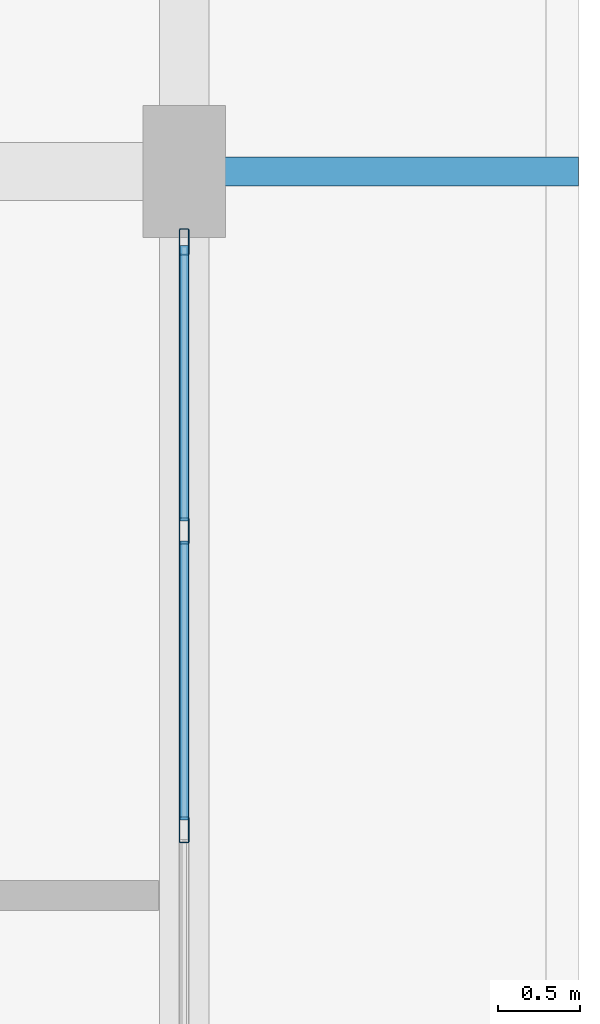
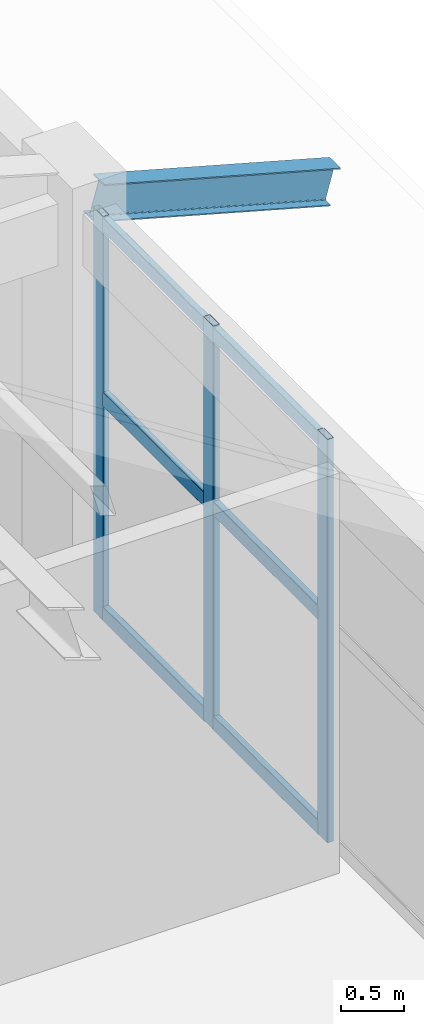
# One storey, part 39 of 58: 9 members, 1 beam, 1 element without a shape of its own.
"""IFC4 building model written with IfcOpenShell, lengths in metres."""

from ifc_helpers import new_model, si_unit, derived_unit, direction, frame, origin, origin_2d, place, context, subcontext, project, spatial, hollow_rectangle, i_section, extrude, material, material_profile, profile_set, type_object, element, aggregate, save


model = new_model("IFC4")

# Units and contexts
model_context = context("Model", 3, precision=1e-05, world=origin(), true_north=direction((0.0, 1.0)))
body_context = subcontext(model_context, "Body", "Model", "MODEL_VIEW")
ifc_project = project(units=[si_unit("LENGTHUNIT", "METRE"), si_unit("AREAUNIT", "SQUARE_METRE"), si_unit("VOLUMEUNIT", "CUBIC_METRE"), si_unit("PLANEANGLEUNIT", "RADIAN"), si_unit("MASSUNIT", "GRAM", prefix="KILO"), derived_unit("THERMALTRANSMITTANCEUNIT", [(si_unit("MASSUNIT", "GRAM", prefix="KILO"), 1), (si_unit("TIMEUNIT", "SECOND"), -3), (si_unit("THERMODYNAMICTEMPERATUREUNIT", "KELVIN"), -1)])], contexts=[model_context])

# Site, building, storey
site_placement = place(None, origin())
site = spatial("IfcSite", under=ifc_project, at=site_placement, CompositionType="ELEMENT")
building_placement = place(site_placement, origin())
building = spatial("IfcBuilding", under=site, at=building_placement, Name="Zhenchuan Archway Interchange", CompositionType="ELEMENT")
storey_placement = place(building_placement, frame((0.0, 0.0, 22.800048828125)))
storey = spatial("IfcBuildingStorey", under=building, at=storey_placement, Name="L05", CompositionType="ELEMENT", Elevation=22.800048828125)

# Beam
ifc_material_1 = material(Name="Steel Q355", Category="steel")
ifc_material_profile_1 = material_profile(ifc_material_1, i_section(OverallWidth=0.175048828125, OverallDepth=0.35009765625, WebThickness=0.007080078125, FlangeThickness=0.010986328125, FilletRadius=0.013916015625, at=origin_2d()), Name="HN 350x175")
ifc_profile_set_1 = profile_set([ifc_material_profile_1], Name="Steel Q355")
beam_type = type_object("IfcBeamType", Name="BM_STL_EAVE_HN350", PredefinedType="BEAM", material=ifc_profile_set_1)
beam_placement = place(storey_placement, frame((171.179931640625, 80.0, 3.719970703125), z_axis=(0.963829493521, 0.0, -0.266519619201), x_axis=(0.0, 1.0, 0.0)))
element("IfcBeam", 1, at=beam_placement, inside=storey, type_object=beam_type, Name="Command wing east storm-eave bracket T8", PredefinedType="BEAM", context=body_context, shape_type="SweptSolid", body=[
    extrude(i_section(OverallWidth=0.175048828125, OverallDepth=0.35009765625, WebThickness=0.007080078125, FlangeThickness=0.010986328125, FilletRadius=0.013916015625, at=origin_2d()), origin(), (0.0, 0.0, 1.0), 2.251708984375),
])

# Curtain wall, members
ifc_material_2 = material(Name="Anodised Aluminium", Category="aluminium")
curtain_wall_type = type_object("IfcCurtainWallType", Name="CW_UNIT_3", PredefinedType="NOTDEFINED", material=ifc_material_2)
curtain_wall_placement = place(storey_placement, origin())
curtain_wall = element("IfcCurtainWall", 2, at=curtain_wall_placement, inside=storey, type_object=curtain_wall_type, Name="Unitised curtain wall CW:L05:206", PredefinedType="NOTDEFINED")
ifc_material_profile_2 = material_profile(ifc_material_2, hollow_rectangle(XDim=0.06005859375, YDim=0.159912109375, WallThickness=0.00390625, InnerFilletRadius=0.00390625, OuterFilletRadius=0.008056640625, at=origin_2d()), Name="ALU 160x60x4")
ifc_profile_set_2 = profile_set([ifc_material_profile_2], Name="Anodised Aluminium")
member_type_1 = type_object("IfcMemberType", Name="CW_MUL_150", PredefinedType="MULLION", material=ifc_profile_set_2)
member_1_placement = place(storey_placement, frame((171.0, 79.572021484375, 0.0), z_axis=(0.0, 0.0, 1.0), x_axis=(1.0, 0.0, 0.0)))
member_1 = element("IfcMember", 3, at=member_1_placement, type_object=member_type_1, Name="CW:L05:206 mullion 0", PredefinedType="MULLION", context=body_context, shape_type="SweptSolid", body=[
    extrude(hollow_rectangle(XDim=0.06005859375, YDim=0.159912109375, WallThickness=0.00390625, InnerFilletRadius=0.00390625, OuterFilletRadius=0.008056640625, at=origin_2d()), origin(), (0.0, 0.0, 1.0), 3.919921875),
])
member_2_placement = place(storey_placement, frame((171.0, 77.81591796875, 0.0), z_axis=(0.0, 0.0, 1.0), x_axis=(1.0, 0.0, 0.0)))
member_2 = element("IfcMember", 4, at=member_2_placement, type_object=member_type_1, Name="CW:L05:206 mullion 1", PredefinedType="MULLION", context=body_context, shape_type="SweptSolid", body=[
    extrude(hollow_rectangle(XDim=0.06005859375, YDim=0.159912109375, WallThickness=0.00390625, InnerFilletRadius=0.00390625, OuterFilletRadius=0.008056640625, at=origin_2d()), origin(), (0.0, 0.0, 1.0), 3.919921875),
])
member_3_placement = place(storey_placement, frame((171.0, 76.0, 0.0), z_axis=(0.0, 0.0, 1.0), x_axis=(1.0, 0.0, 0.0)))
member_3 = element("IfcMember", 5, at=member_3_placement, type_object=member_type_1, Name="CW:L05:206 mullion 2", PredefinedType="MULLION", context=body_context, shape_type="SweptSolid", body=[
    extrude(hollow_rectangle(XDim=0.06005859375, YDim=0.159912109375, WallThickness=0.00390625, InnerFilletRadius=0.00390625, OuterFilletRadius=0.008056640625, at=origin_2d()), origin(), (0.0, 0.0, 1.0), 3.919921875),
])
ifc_material_profile_3 = material_profile(ifc_material_2, hollow_rectangle(XDim=0.06005859375, YDim=0.139892578125, WallThickness=0.00341796875, InnerFilletRadius=0.00341796875, OuterFilletRadius=0.007080078125, at=origin_2d()), Name="ALU 140x60x3.5")
ifc_profile_set_3 = profile_set([ifc_material_profile_3], Name="Anodised Aluminium")
member_type_2 = type_object("IfcMemberType", Name="CW_TRN_140", PredefinedType="USERDEFINED", material=ifc_profile_set_3)
member_4_placement = place(storey_placement, frame((171.0, 79.552001953125, 0.06005859375), z_axis=(0.0, -1.0, 0.0), x_axis=(1.0, 0.0, 0.0)))
member_4 = element("IfcMember", 6, at=member_4_placement, type_object=member_type_2, Name="CW:L05:206 transom 0-1", ObjectType="TRANSOM", PredefinedType="USERDEFINED", context=body_context, shape_type="SweptSolid", body=[
    extrude(hollow_rectangle(XDim=0.06005859375, YDim=0.139892578125, WallThickness=0.00341796875, InnerFilletRadius=0.00341796875, OuterFilletRadius=0.007080078125, at=origin_2d()), origin(), (0.0, 0.0, 1.0), 1.676025390625),
])
member_5_placement = place(storey_placement, frame((171.0, 79.552001953125, 2.14501953125), z_axis=(0.0, -1.0, 0.0), x_axis=(1.0, 0.0, 0.0)))
member_5 = element("IfcMember", 7, at=member_5_placement, type_object=member_type_2, Name="CW:L05:206 transom 0-2", ObjectType="TRANSOM", PredefinedType="USERDEFINED", context=body_context, shape_type="SweptSolid", body=[
    extrude(hollow_rectangle(XDim=0.06005859375, YDim=0.139892578125, WallThickness=0.00341796875, InnerFilletRadius=0.00341796875, OuterFilletRadius=0.007080078125, at=origin_2d()), origin(), (0.0, 0.0, 1.0), 1.676025390625),
])
member_6_placement = place(storey_placement, frame((171.0, 79.552001953125, 3.83984375), z_axis=(0.0, -1.0, 0.0), x_axis=(1.0, 0.0, 0.0)))
member_6 = element("IfcMember", 8, at=member_6_placement, type_object=member_type_2, Name="CW:L05:206 transom 0-3", ObjectType="TRANSOM", PredefinedType="USERDEFINED", context=body_context, shape_type="SweptSolid", body=[
    extrude(hollow_rectangle(XDim=0.06005859375, YDim=0.139892578125, WallThickness=0.00341796875, InnerFilletRadius=0.00341796875, OuterFilletRadius=0.007080078125, at=origin_2d()), origin(), (0.0, 0.0, 1.0), 1.676025390625),
])
member_7_placement = place(storey_placement, frame((171.0, 77.756103515625, 0.06005859375), z_axis=(0.0, -1.0, 0.0), x_axis=(1.0, 0.0, 0.0)))
member_7 = element("IfcMember", 9, at=member_7_placement, type_object=member_type_2, Name="CW:L05:206 transom 1-1", ObjectType="TRANSOM", PredefinedType="USERDEFINED", context=body_context, shape_type="SweptSolid", body=[
    extrude(hollow_rectangle(XDim=0.06005859375, YDim=0.139892578125, WallThickness=0.00341796875, InnerFilletRadius=0.00341796875, OuterFilletRadius=0.007080078125, at=origin_2d()), origin(), (0.0, 0.0, 1.0), 1.696044921875),
])
member_8_placement = place(storey_placement, frame((171.0, 77.756103515625, 2.14501953125), z_axis=(0.0, -1.0, 0.0), x_axis=(1.0, 0.0, 0.0)))
member_8 = element("IfcMember", 10, at=member_8_placement, type_object=member_type_2, Name="CW:L05:206 transom 1-2", ObjectType="TRANSOM", PredefinedType="USERDEFINED", context=body_context, shape_type="SweptSolid", body=[
    extrude(hollow_rectangle(XDim=0.06005859375, YDim=0.139892578125, WallThickness=0.00341796875, InnerFilletRadius=0.00341796875, OuterFilletRadius=0.007080078125, at=origin_2d()), origin(), (0.0, 0.0, 1.0), 1.696044921875),
])
member_9_placement = place(storey_placement, frame((171.0, 77.756103515625, 3.83984375), z_axis=(0.0, -1.0, 0.0), x_axis=(1.0, 0.0, 0.0)))
member_9 = element("IfcMember", 11, at=member_9_placement, type_object=member_type_2, Name="CW:L05:206 transom 1-3", ObjectType="TRANSOM", PredefinedType="USERDEFINED", context=body_context, shape_type="SweptSolid", body=[
    extrude(hollow_rectangle(XDim=0.06005859375, YDim=0.139892578125, WallThickness=0.00341796875, InnerFilletRadius=0.00341796875, OuterFilletRadius=0.007080078125, at=origin_2d()), origin(), (0.0, 0.0, 1.0), 1.696044921875),
])
aggregate(curtain_wall, [member_1, member_2, member_3, member_4, member_5, member_6, member_7, member_8, member_9])

save(model, "model.ifc")
